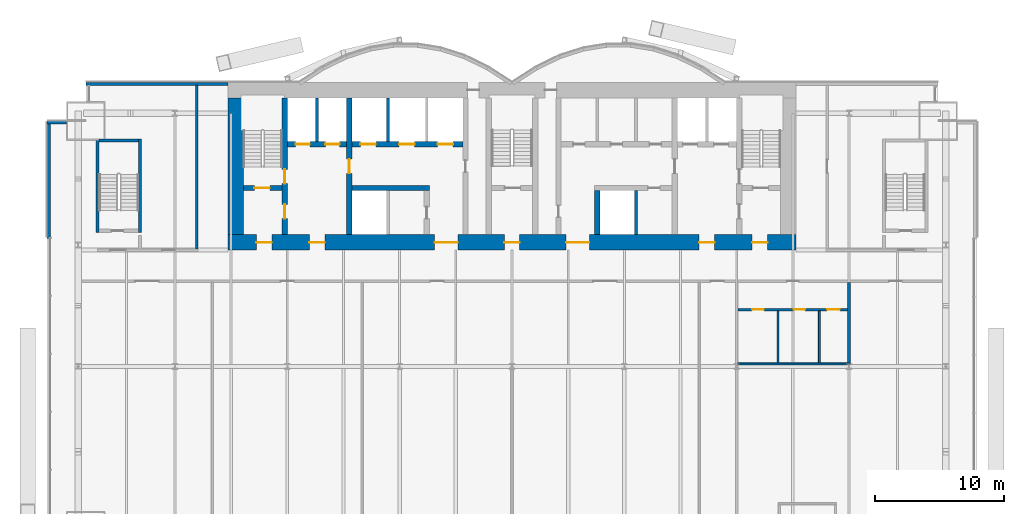
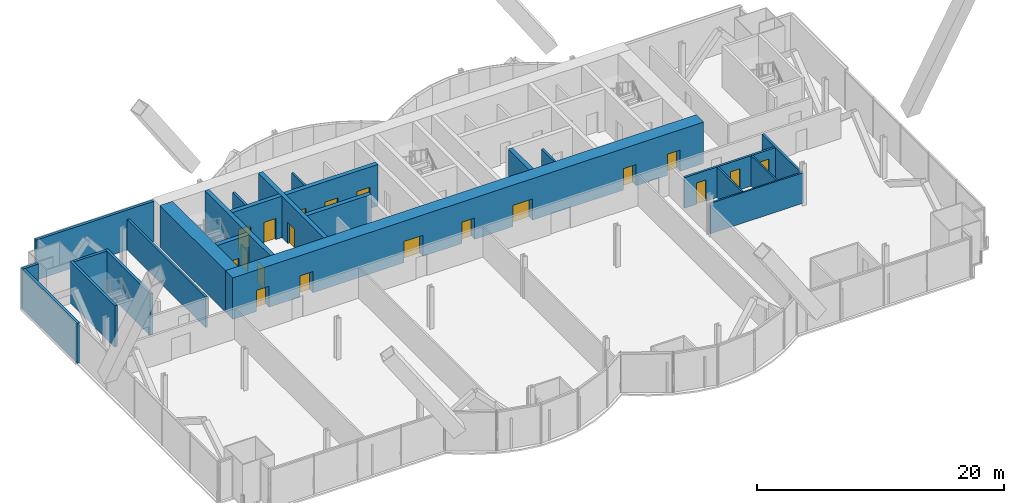
# One storey, part 18 of 23: 23 walls, 19 doors, 19 openings.
"""IFC4 building model written with IfcOpenShell, lengths in metres."""

from ifc_helpers import new_model, si_unit, direction, frame, frame_2d, origin, place, context, subcontext, project, spatial, rectangle, extrude, material, layer, layer_set, layer_usage, type_object, element, fill, save


model = new_model("IFC4")

# Units and contexts
model_context = context("Model", 3, precision=1e-05, world=origin(), true_north=direction((0.0, 1.0)))
body_context = subcontext(model_context, "Body", "Model", "MODEL_VIEW")
ifc_project = project(units=[si_unit("LENGTHUNIT", "METRE"), si_unit("AREAUNIT", "SQUARE_METRE"), si_unit("VOLUMEUNIT", "CUBIC_METRE"), si_unit("PLANEANGLEUNIT", "RADIAN"), si_unit("MASSUNIT", "GRAM", prefix="KILO")], contexts=[model_context])

# Site, building, storey
site_placement = place(None, origin())
site = spatial("IfcSite", under=ifc_project, at=site_placement, CompositionType="ELEMENT")
building_placement = place(site_placement, origin())
building = spatial("IfcBuilding", under=site, at=building_placement, Name="Bicima Exchange Tower", CompositionType="ELEMENT")
storey_placement = place(building_placement, frame((0.0, 0.0, 110.39990234375)))
storey = spatial("IfcBuildingStorey", under=building, at=storey_placement, Name="L23", CompositionType="ELEMENT", Elevation=110.39990234375)

# Walls
ifc_material_1 = material(Name="Gypsum board partition")
ifc_layer_1 = layer(ifc_material_1, 0.199951171875)
ifc_layer_set_1 = layer_set([ifc_layer_1], Name="Gypsum board partition")
wall_type_1 = type_object("IfcWallType", Name="Fire-rated gypsum partition 200 EI120", PredefinedType="PARTITIONING", material=ifc_layer_set_1)
for number, where, z_axis, x_axis, name in (
    (1, (-15.10009765625, -4.60009765625, 0.0), (0.0, 0.0, 1.0), (0.0, 1.0, 0.0), "partition wall 9"),
    (2, (-9.60009765625, -4.60009765625, 0.0), (0.0, 0.0, 1.0), (0.0, 1.0, 0.0), "partition wall 12"),
    (3, (9.60009765625, -11.800048828125, 0.0), (0.0, 0.0, 1.0), (0.0, 1.0, 0.0), "partition wall 21"),
):
    element("IfcWall", number, at=place(storey_placement, frame(where, z_axis=z_axis, x_axis=x_axis)), inside=storey, type_object=wall_type_1, Name=name, PredefinedType="PARTITIONING", context=body_context, shape_type="SweptSolid", body=[
        extrude(rectangle(XDim=3.400146484375, YDim=0.199951171875, at=frame_2d((1.7001953125, 0.0))), origin(), (0.0, 0.0, 1.0), 3.018310546875),
    ])

# Wall, openings, doors
ifc_layer_2 = layer(ifc_material_1, 0.199951171875)
ifc_layer_set_2 = layer_set([ifc_layer_2], Name="Gypsum board partition")
wall_type_2 = type_object("IfcWallType", Name="Fire-rated gypsum partition 200 EI60", PredefinedType="PARTITIONING", material=ifc_layer_set_2)
wall_1_placement = place(storey_placement, frame((17.5, -17.60009765625, 0.0), z_axis=(0.0, 0.0, 1.0), x_axis=(1.0, 0.0, 0.0)))
wall_1 = element("IfcWall", 4, at=wall_1_placement, inside=storey, type_object=wall_type_2, Name="partition wall 5", PredefinedType="PARTITIONING", context=body_context, shape_type="SweptSolid", body=[
    extrude(rectangle(XDim=8.5, YDim=0.199951171875, at=frame_2d((4.25, 0.0))), origin(), (0.0, 0.0, 1.0), 3.018310546875),
])
opening_1_placement = place(wall_1_placement, frame((1.10009765625, 0.0, 0.0)))
opening_1 = element("IfcOpeningElement", 5, at=opening_1_placement, cuts=wall_1, Name="Opening L23-013", PredefinedType="OPENING", context=body_context, shape_type="SweptSolid", body=[
    extrude(rectangle(XDim=0.89990234375, YDim=2.10009765625, at=frame_2d((0.449951171875, 1.050048828125))), frame((0.0, 0.11181640625, 0.0), z_axis=(0.0, -1.0, 0.0), x_axis=(1.0, 0.0, 0.0)), (0.0, 0.0, 1.0), 0.223876953125),
])
opening_2_placement = place(wall_1_placement, frame((4.300048828125, 0.0, 0.0)))
opening_2 = element("IfcOpeningElement", 6, at=opening_2_placement, cuts=wall_1, Name="Opening L23-014", PredefinedType="OPENING", context=body_context, shape_type="SweptSolid", body=[
    extrude(rectangle(XDim=0.89990234375, YDim=2.10009765625, at=frame_2d((0.449951171875, 1.050048828125))), frame((0.0, 0.11181640625, 0.0), z_axis=(0.0, -1.0, 0.0), x_axis=(1.0, 0.0, 0.0)), (0.0, 0.0, 1.0), 0.223876953125),
])
opening_3_placement = place(wall_1_placement, frame((6.89990234375, 0.0, 0.0)))
opening_3 = element("IfcOpeningElement", 7, at=opening_3_placement, cuts=wall_1, Name="Opening L23-015", PredefinedType="OPENING", context=body_context, shape_type="SweptSolid", body=[
    extrude(rectangle(XDim=1.0, YDim=2.10009765625, at=frame_2d((0.5, 1.050048828125))), frame((0.0, 0.11181640625, 0.0), z_axis=(0.0, -1.0, 0.0), x_axis=(1.0, 0.0, 0.0)), (0.0, 0.0, 1.0), 0.223876953125),
])
ifc_material_2 = material(Name="Steel fire door leaf", Category="steel")
door_type_1 = type_object("IfcDoorType", Name="Door 1000 swing FD30S", OperationType="SINGLE_SWING_LEFT", PredefinedType="DOOR", material=ifc_material_2)
door_1_placement = place(opening_3_placement, frame((1.0, 0.0, 0.0), z_axis=(0.0, 0.0, 1.0), x_axis=(-1.0, 0.0, 0.0)))
door_1 = element("IfcDoor", 8, at=door_1_placement, inside=storey, type_object=door_type_1, Name="Door", OperationType="SINGLE_SWING_RIGHT", OverallHeight=2.10009765625, OverallWidth=1.0, PredefinedType="DOOR", context=body_context, shape_type="SweptSolid", body=[
    extrude(rectangle(XDim=1.0, YDim=2.10009765625, at=frame_2d((0.5, 1.050048828125))), frame((0.0, 0.02490234375, 0.0), z_axis=(0.0, -1.0, 0.0), x_axis=(1.0, 0.0, 0.0)), (0.0, 0.0, 1.0), 0.050048828125),
])
fill(opening_3, door_1)
door_type_2 = type_object("IfcDoorType", Name="Door 900 swing FD30S", OperationType="SINGLE_SWING_LEFT", PredefinedType="DOOR", material=ifc_material_2)
door_2_placement = place(opening_1_placement, frame((0.89990234375, 0.0, 0.0), z_axis=(0.0, 0.0, 1.0), x_axis=(-1.0, 0.0, 0.0)))
door_2 = element("IfcDoor", 9, at=door_2_placement, inside=storey, type_object=door_type_2, Name="Door", OperationType="SINGLE_SWING_LEFT", OverallHeight=2.10009765625, OverallWidth=0.89990234375, PredefinedType="DOOR", context=body_context, shape_type="SweptSolid", body=[
    extrude(rectangle(XDim=0.89990234375, YDim=2.10009765625, at=frame_2d((0.449951171875, 1.050048828125))), frame((0.0, 0.02490234375, 0.0), z_axis=(0.0, -1.0, 0.0), x_axis=(1.0, 0.0, 0.0)), (0.0, 0.0, 1.0), 0.050048828125),
])
fill(opening_1, door_2)
door_3_placement = place(opening_2_placement, frame((0.89990234375, 0.0, 0.0), z_axis=(0.0, 0.0, 1.0), x_axis=(-1.0, 0.0, 0.0)))
door_3 = element("IfcDoor", 10, at=door_3_placement, inside=storey, type_object=door_type_2, Name="Door", OperationType="SINGLE_SWING_RIGHT", OverallHeight=2.10009765625, OverallWidth=0.89990234375, PredefinedType="DOOR", context=body_context, shape_type="SweptSolid", body=[
    extrude(rectangle(XDim=0.89990234375, YDim=2.10009765625, at=frame_2d((0.449951171875, 1.050048828125))), frame((0.0, 0.02490234375, 0.0), z_axis=(0.0, -1.0, 0.0), x_axis=(1.0, 0.0, 0.0)), (0.0, 0.0, 1.0), 0.050048828125),
])
fill(opening_2, door_3)

# Walls
wall_2_placement = place(storey_placement, frame((-24.39990234375, -12.89990234375, 0.0), z_axis=(0.0, 0.0, 1.0), x_axis=(0.0, 1.0, 0.0)))
element("IfcWall", 11, at=wall_2_placement, inside=storey, type_object=wall_type_2, Name="partition wall 17", PredefinedType="PARTITIONING", context=body_context, shape_type="SweptSolid", body=[
    extrude(rectangle(XDim=12.68994140625, YDim=0.199951171875, at=frame_2d((6.344970703125, 0.0))), origin(), (0.0, 0.0, 1.0), 3.018310546875),
])
wall_3_placement = place(storey_placement, frame((26.10009765625, -21.72509765625, 0.0), z_axis=(0.0, 0.0, 1.0), x_axis=(0.0, 1.0, 0.0)))
element("IfcWall", 12, at=wall_3_placement, inside=storey, type_object=wall_type_2, Name="partition wall 36", PredefinedType="PARTITIONING", context=body_context, shape_type="SweptSolid", body=[
    extrude(rectangle(XDim=6.22509765625, YDim=0.199951171875, at=frame_2d((3.112548828125, 0.0))), origin(), (0.0, 0.0, 1.0), 3.018310546875),
])
ifc_layer_3 = layer(ifc_material_1, 0.14990234375)
ifc_layer_set_3 = layer_set([ifc_layer_3], Name="Gypsum board partition")
wall_type_3 = type_object("IfcWallType", Name="Gypsum partition 150", PredefinedType="PARTITIONING", material=ifc_layer_set_3)
wall_4_placement = place(storey_placement, frame((17.5, -21.800048828125, 0.0), z_axis=(0.0, 0.0, 1.0), x_axis=(1.0, 0.0, 0.0)))
element("IfcWall", 13, at=wall_4_placement, inside=storey, type_object=wall_type_3, Name="partition wall 4", PredefinedType="PARTITIONING", context=body_context, shape_type="SweptSolid", body=[
    extrude(rectangle(XDim=8.699951171875, YDim=0.14990234375, at=frame_2d((4.35009765625, 0.0))), origin(), (0.0, 0.0, 1.0), 3.018310546875),
])
for number, where, z_axis, x_axis, name in (
    (14, (20.60009765625, -21.72509765625, 0.0), (0.0, 0.0, 1.0), (0.0, 1.0, 0.0), "partition wall 31"),
    (15, (23.800048828125, -21.72509765625, 0.0), (0.0, 0.0, 1.0), (0.0, 1.0, 0.0), "partition wall 33"),
):
    element("IfcWall", number, at=place(storey_placement, frame(where, z_axis=z_axis, x_axis=x_axis)), inside=storey, type_object=wall_type_3, Name=name, PredefinedType="PARTITIONING", context=body_context, shape_type="SweptSolid", body=[
        extrude(rectangle(XDim=4.025146484375, YDim=0.14990234375, at=frame_2d((2.0126953125, 0.0))), origin(), (0.0, 0.0, 1.0), 3.018310546875),
    ])

# Wall, openings, doors
ifc_material_3 = material(Name="Concrete C60/75", Category="concrete")
ifc_layer_4 = layer(ifc_material_3, 1.199951171875)
ifc_layer_set_4 = layer_set([ifc_layer_4], Name="Concrete C60/75")
wall_type_4 = type_object("IfcWallType", Name="RC core wall 1200 C60/75", PredefinedType="SHEAR", material=ifc_layer_set_4)
wall_5_placement = place(storey_placement, frame((-22.0, -12.39990234375, 0.0), z_axis=(0.0, 0.0, 1.0), x_axis=(1.0, 0.0, 0.0)))
wall_5 = element("IfcWall", 16, at=wall_5_placement, inside=storey, type_object=wall_type_4, Name="Core wall south", PredefinedType="SHEAR", context=body_context, shape_type="SweptSolid", body=[
    extrude(rectangle(XDim=44.0, YDim=1.199951171875, at=frame_2d((22.0, 0.0))), origin(), (0.0, 0.0, 1.0), 4.10009765625),
])
opening_4_placement = place(wall_5_placement, frame((2.199951171875, 0.0, 0.0)))
opening_4 = element("IfcOpeningElement", 17, at=opening_4_placement, cuts=wall_5, Name="Opening L23-C19", PredefinedType="OPENING", context=body_context, shape_type="SweptSolid", body=[
    extrude(rectangle(XDim=1.199951171875, YDim=2.10009765625, at=frame_2d((0.60009765625, 1.050048828125))), frame((0.0, 0.61181640625, 0.0), z_axis=(0.0, -1.0, 0.0), x_axis=(1.0, 0.0, 0.0)), (0.0, 0.0, 1.0), 1.223876953125),
])
opening_5_placement = place(wall_5_placement, frame((21.39990234375, 0.0, 0.0)))
opening_5 = element("IfcOpeningElement", 18, at=opening_5_placement, cuts=wall_5, Name="Opening L23-C20", PredefinedType="OPENING", context=body_context, shape_type="SweptSolid", body=[
    extrude(rectangle(XDim=1.199951171875, YDim=2.10009765625, at=frame_2d((0.60009765625, 1.050048828125))), frame((0.0, 0.61181640625, 0.0), z_axis=(0.0, -1.0, 0.0), x_axis=(1.0, 0.0, 0.0)), (0.0, 0.0, 1.0), 1.223876953125),
])
opening_6_placement = place(wall_5_placement, frame((40.60009765625, 0.0, 0.0)))
opening_6 = element("IfcOpeningElement", 19, at=opening_6_placement, cuts=wall_5, Name="Opening L23-C21", PredefinedType="OPENING", context=body_context, shape_type="SweptSolid", body=[
    extrude(rectangle(XDim=1.199951171875, YDim=2.10009765625, at=frame_2d((0.60009765625, 1.050048828125))), frame((0.0, 0.61181640625, 0.0), z_axis=(0.0, -1.0, 0.0), x_axis=(1.0, 0.0, 0.0)), (0.0, 0.0, 1.0), 1.223876953125),
])
opening_7_placement = place(wall_5_placement, frame((16.0, 0.0, 0.0)))
opening_7 = element("IfcOpeningElement", 20, at=opening_7_placement, cuts=wall_5, Name="Opening L23-C22", PredefinedType="OPENING", context=body_context, shape_type="SweptSolid", body=[
    extrude(rectangle(XDim=1.800048828125, YDim=2.10009765625, at=frame_2d((0.89990234375, 1.050048828125))), frame((0.0, 0.61181640625, 0.0), z_axis=(0.0, -1.0, 0.0), x_axis=(1.0, 0.0, 0.0)), (0.0, 0.0, 1.0), 1.223876953125),
])
opening_8_placement = place(wall_5_placement, frame((6.300048828125, 0.0, 0.0)))
opening_8 = element("IfcOpeningElement", 21, at=opening_8_placement, cuts=wall_5, Name="Opening L23-C23", PredefinedType="OPENING", context=body_context, shape_type="SweptSolid", body=[
    extrude(rectangle(XDim=1.199951171875, YDim=2.10009765625, at=frame_2d((0.60009765625, 1.050048828125))), frame((0.0, 0.61181640625, 0.0), z_axis=(0.0, -1.0, 0.0), x_axis=(1.0, 0.0, 0.0)), (0.0, 0.0, 1.0), 1.223876953125),
])
opening_9_placement = place(wall_5_placement, frame((26.199951171875, 0.0, 0.0)))
opening_9 = element("IfcOpeningElement", 22, at=opening_9_placement, cuts=wall_5, Name="Opening L23-C24", PredefinedType="OPENING", context=body_context, shape_type="SweptSolid", body=[
    extrude(rectangle(XDim=1.800048828125, YDim=2.10009765625, at=frame_2d((0.89990234375, 1.050048828125))), frame((0.0, 0.61181640625, 0.0), z_axis=(0.0, -1.0, 0.0), x_axis=(1.0, 0.0, 0.0)), (0.0, 0.0, 1.0), 1.223876953125),
])
opening_10_placement = place(wall_5_placement, frame((36.5, 0.0, 0.0)))
opening_10 = element("IfcOpeningElement", 23, at=opening_10_placement, cuts=wall_5, Name="Opening L23-C25", PredefinedType="OPENING", context=body_context, shape_type="SweptSolid", body=[
    extrude(rectangle(XDim=1.199951171875, YDim=2.10009765625, at=frame_2d((0.60009765625, 1.050048828125))), frame((0.0, 0.61181640625, 0.0), z_axis=(0.0, -1.0, 0.0), x_axis=(1.0, 0.0, 0.0)), (0.0, 0.0, 1.0), 1.223876953125),
])
door_type_3 = type_object("IfcDoorType", Name="Door 1200 swing FD60S", OperationType="SINGLE_SWING_LEFT", PredefinedType="DOOR", material=ifc_material_2)
door_4_placement = place(opening_4_placement, frame((1.199951171875, 0.0, 0.0), z_axis=(0.0, 0.0, 1.0), x_axis=(-1.0, 0.0, 0.0)))
door_4 = element("IfcDoor", 24, at=door_4_placement, inside=storey, type_object=door_type_3, Name="Core door", OperationType="SINGLE_SWING_RIGHT", OverallHeight=2.10009765625, OverallWidth=1.199951171875, PredefinedType="DOOR", context=body_context, shape_type="SweptSolid", body=[
    extrude(rectangle(XDim=1.199951171875, YDim=2.10009765625, at=frame_2d((0.60009765625, 1.050048828125))), frame((0.0, 0.02490234375, 0.0), z_axis=(0.0, -1.0, 0.0), x_axis=(1.0, 0.0, 0.0)), (0.0, 0.0, 1.0), 0.050048828125),
])
fill(opening_4, door_4)
door_5_placement = place(opening_5_placement, frame((1.199951171875, 0.0, 0.0), z_axis=(0.0, 0.0, 1.0), x_axis=(-1.0, 0.0, 0.0)))
door_5 = element("IfcDoor", 25, at=door_5_placement, inside=storey, type_object=door_type_3, Name="Core door", OperationType="SINGLE_SWING_RIGHT", OverallHeight=2.10009765625, OverallWidth=1.199951171875, PredefinedType="DOOR", context=body_context, shape_type="SweptSolid", body=[
    extrude(rectangle(XDim=1.199951171875, YDim=2.10009765625, at=frame_2d((0.60009765625, 1.050048828125))), frame((0.0, 0.02490234375, 0.0), z_axis=(0.0, -1.0, 0.0), x_axis=(1.0, 0.0, 0.0)), (0.0, 0.0, 1.0), 0.050048828125),
])
fill(opening_5, door_5)
door_6_placement = place(opening_6_placement, frame((1.199951171875, 0.0, 0.0), z_axis=(0.0, 0.0, 1.0), x_axis=(-1.0, 0.0, 0.0)))
door_6 = element("IfcDoor", 26, at=door_6_placement, inside=storey, type_object=door_type_3, Name="Core door", OperationType="SINGLE_SWING_RIGHT", OverallHeight=2.10009765625, OverallWidth=1.199951171875, PredefinedType="DOOR", context=body_context, shape_type="SweptSolid", body=[
    extrude(rectangle(XDim=1.199951171875, YDim=2.10009765625, at=frame_2d((0.60009765625, 1.050048828125))), frame((0.0, 0.02490234375, 0.0), z_axis=(0.0, -1.0, 0.0), x_axis=(1.0, 0.0, 0.0)), (0.0, 0.0, 1.0), 0.050048828125),
])
fill(opening_6, door_6)
door_7_placement = place(opening_8_placement, frame((1.199951171875, 0.0, 0.0), z_axis=(0.0, 0.0, 1.0), x_axis=(-1.0, 0.0, 0.0)))
door_7 = element("IfcDoor", 27, at=door_7_placement, inside=storey, type_object=door_type_3, Name="Core door", OperationType="SINGLE_SWING_RIGHT", OverallHeight=2.10009765625, OverallWidth=1.199951171875, PredefinedType="DOOR", context=body_context, shape_type="SweptSolid", body=[
    extrude(rectangle(XDim=1.199951171875, YDim=2.10009765625, at=frame_2d((0.60009765625, 1.050048828125))), frame((0.0, 0.02490234375, 0.0), z_axis=(0.0, -1.0, 0.0), x_axis=(1.0, 0.0, 0.0)), (0.0, 0.0, 1.0), 0.050048828125),
])
fill(opening_8, door_7)
door_8_placement = place(opening_10_placement, frame((1.199951171875, 0.0, 0.0), z_axis=(0.0, 0.0, 1.0), x_axis=(-1.0, 0.0, 0.0)))
door_8 = element("IfcDoor", 28, at=door_8_placement, inside=storey, type_object=door_type_3, Name="Core door", OperationType="SINGLE_SWING_RIGHT", OverallHeight=2.10009765625, OverallWidth=1.199951171875, PredefinedType="DOOR", context=body_context, shape_type="SweptSolid", body=[
    extrude(rectangle(XDim=1.199951171875, YDim=2.10009765625, at=frame_2d((0.60009765625, 1.050048828125))), frame((0.0, 0.02490234375, 0.0), z_axis=(0.0, -1.0, 0.0), x_axis=(1.0, 0.0, 0.0)), (0.0, 0.0, 1.0), 0.050048828125),
])
fill(opening_10, door_8)
door_type_4 = type_object("IfcDoorType", Name="Door 1800 double swing FD30S", OperationType="DOUBLE_DOOR_SINGLE_SWING", PredefinedType="DOOR", material=ifc_material_2)
door_9_placement = place(opening_7_placement, origin())
door_9 = element("IfcDoor", 29, at=door_9_placement, inside=storey, type_object=door_type_4, Name="Core door", OperationType="SINGLE_SWING_LEFT", OverallHeight=2.10009765625, OverallWidth=1.800048828125, PredefinedType="DOOR", context=body_context, shape_type="SweptSolid", body=[
    extrude(rectangle(XDim=1.800048828125, YDim=2.10009765625, at=frame_2d((0.89990234375, 1.050048828125))), frame((0.0, 0.02490234375, 0.0), z_axis=(0.0, -1.0, 0.0), x_axis=(1.0, 0.0, 0.0)), (0.0, 0.0, 1.0), 0.050048828125),
])
fill(opening_7, door_9)
door_10_placement = place(opening_9_placement, origin())
door_10 = element("IfcDoor", 30, at=door_10_placement, inside=storey, type_object=door_type_4, Name="Core door", OperationType="SINGLE_SWING_LEFT", OverallHeight=2.10009765625, OverallWidth=1.800048828125, PredefinedType="DOOR", context=body_context, shape_type="SweptSolid", body=[
    extrude(rectangle(XDim=1.800048828125, YDim=2.10009765625, at=frame_2d((0.89990234375, 1.050048828125))), frame((0.0, 0.02490234375, 0.0), z_axis=(0.0, -1.0, 0.0), x_axis=(1.0, 0.0, 0.0)), (0.0, 0.0, 1.0), 0.050048828125),
])
fill(opening_9, door_10)

# Wall
wall_6_placement = place(storey_placement, frame((-21.39990234375, -11.800048828125, 0.0), z_axis=(0.0, 0.0, 1.0), x_axis=(0.0, 1.0, 0.0)))
element("IfcWall", 31, at=wall_6_placement, inside=storey, type_object=wall_type_4, Name="Core wall west", PredefinedType="SHEAR", context=body_context, shape_type="SweptSolid", body=[
    extrude(rectangle(XDim=10.60009765625, YDim=1.199951171875, at=frame_2d((5.300048828125, 0.0))), origin(), (0.0, 0.0, 1.0), 4.10009765625),
])

# Wall, opening, door
ifc_material_4 = material(Name="Concrete C50/60", Category="concrete")
ifc_layer_5 = layer(ifc_material_4, 0.39990234375)
ifc_layer_set_5 = layer_set([ifc_layer_5], Name="Concrete C50/60")
wall_type_5 = type_object("IfcWallType", Name="RC core wall 400 C50/60", PredefinedType="SHEAR", material=ifc_layer_set_5)
wall_7_placement = place(storey_placement, frame((-20.800048828125, -8.199951171875, 0.0), z_axis=(0.0, 0.0, 1.0), x_axis=(1.0, 0.0, 0.0)))
wall_7 = element("IfcWall", 32, at=wall_7_placement, inside=storey, type_object=wall_type_5, Name="stair wall 1", PredefinedType="SHEAR", context=body_context, shape_type="SweptSolid", body=[
    extrude(rectangle(XDim=3.0, YDim=0.39990234375, at=frame_2d((1.5, 0.0))), origin(), (0.0, 0.0, 1.0), 4.10009765625),
])
opening_11_placement = place(wall_7_placement, frame((0.85009765625, 0.0, 0.0)))
opening_11 = element("IfcOpeningElement", 33, at=opening_11_placement, cuts=wall_7, Name="Opening L23-C01", PredefinedType="OPENING", context=body_context, shape_type="SweptSolid", body=[
    extrude(rectangle(XDim=1.199951171875, YDim=2.10009765625, at=frame_2d((0.60009765625, 1.050048828125))), frame((0.0, 0.2119140625, 0.0), z_axis=(0.0, -1.0, 0.0), x_axis=(1.0, 0.0, 0.0)), (0.0, 0.0, 1.0), 0.423828125),
])
door_11_placement = place(opening_11_placement, origin())
door_11 = element("IfcDoor", 34, at=door_11_placement, inside=storey, type_object=door_type_3, Name="Core door", OperationType="SINGLE_SWING_LEFT", OverallHeight=2.10009765625, OverallWidth=1.199951171875, PredefinedType="DOOR", context=body_context, shape_type="SweptSolid", body=[
    extrude(rectangle(XDim=1.199951171875, YDim=2.10009765625, at=frame_2d((0.60009765625, 1.050048828125))), frame((0.0, 0.02490234375, 0.0), z_axis=(0.0, -1.0, 0.0), x_axis=(1.0, 0.0, 0.0)), (0.0, 0.0, 1.0), 0.050048828125),
])
fill(opening_11, door_11)

# Wall, openings, doors
wall_8_placement = place(storey_placement, frame((-17.60009765625, -11.800048828125, 0.0), z_axis=(0.0, 0.0, 1.0), x_axis=(0.0, 1.0, 0.0)))
wall_8 = element("IfcWall", 35, at=wall_8_placement, inside=storey, type_object=wall_type_5, Name="stair wall 8", PredefinedType="SHEAR", context=body_context, shape_type="SweptSolid", body=[
    extrude(rectangle(XDim=10.60009765625, YDim=0.39990234375, at=frame_2d((5.300048828125, 0.0))), origin(), (0.0, 0.0, 1.0), 4.10009765625),
])
opening_12_placement = place(wall_8_placement, frame((1.25, 0.0, 0.0)))
opening_12 = element("IfcOpeningElement", 36, at=opening_12_placement, cuts=wall_8, Name="Opening L23-C02", PredefinedType="OPENING", context=body_context, shape_type="SweptSolid", body=[
    extrude(rectangle(XDim=1.10009765625, YDim=2.10009765625, at=frame_2d((0.550048828125, 1.050048828125))), frame((0.0, 0.2119140625, 0.0), z_axis=(0.0, -1.0, 0.0), x_axis=(1.0, 0.0, 0.0)), (0.0, 0.0, 1.0), 0.423828125),
])
opening_13_placement = place(wall_8_placement, frame((3.949951171875, 0.0, 0.0)))
opening_13 = element("IfcOpeningElement", 37, at=opening_13_placement, cuts=wall_8, Name="Opening L23-C06", PredefinedType="OPENING", context=body_context, shape_type="SweptSolid", body=[
    extrude(rectangle(XDim=1.10009765625, YDim=2.10009765625, at=frame_2d((0.550048828125, 1.050048828125))), frame((0.0, 0.2119140625, 0.0), z_axis=(0.0, -1.0, 0.0), x_axis=(1.0, 0.0, 0.0)), (0.0, 0.0, 1.0), 0.423828125),
])
door_type_5 = type_object("IfcDoorType", Name="Door 1100 swing FD60S", OperationType="SINGLE_SWING_LEFT", PredefinedType="DOOR", material=ifc_material_2)
door_12_placement = place(opening_12_placement, frame((1.10009765625, 0.0, 0.0), z_axis=(0.0, 0.0, 1.0), x_axis=(-1.0, 0.0, 0.0)))
door_12 = element("IfcDoor", 38, at=door_12_placement, inside=storey, type_object=door_type_5, Name="Core door", OperationType="SINGLE_SWING_LEFT", OverallHeight=2.10009765625, OverallWidth=1.10009765625, PredefinedType="DOOR", context=body_context, shape_type="SweptSolid", body=[
    extrude(rectangle(XDim=1.10009765625, YDim=2.10009765625, at=frame_2d((0.550048828125, 1.050048828125))), frame((0.0, 0.02490234375, 0.0), z_axis=(0.0, -1.0, 0.0), x_axis=(1.0, 0.0, 0.0)), (0.0, 0.0, 1.0), 0.050048828125),
])
fill(opening_12, door_12)
door_13_placement = place(opening_13_placement, frame((1.10009765625, 0.0, 0.0), z_axis=(0.0, 0.0, 1.0), x_axis=(-1.0, 0.0, 0.0)))
door_13 = element("IfcDoor", 39, at=door_13_placement, inside=storey, type_object=door_type_5, Name="Core door", OperationType="SINGLE_SWING_LEFT", OverallHeight=2.10009765625, OverallWidth=1.10009765625, PredefinedType="DOOR", context=body_context, shape_type="SweptSolid", body=[
    extrude(rectangle(XDim=1.10009765625, YDim=2.10009765625, at=frame_2d((0.550048828125, 1.050048828125))), frame((0.0, 0.02490234375, 0.0), z_axis=(0.0, -1.0, 0.0), x_axis=(1.0, 0.0, 0.0)), (0.0, 0.0, 1.0), 0.050048828125),
])
fill(opening_13, door_13)

# Wall
ifc_layer_6 = layer(ifc_material_3, 0.39990234375)
ifc_layer_set_6 = layer_set([ifc_layer_6], Name="Concrete C60/75")
wall_type_6 = type_object("IfcWallType", Name="RC core wall 400 C60/75", PredefinedType="SHEAR", material=ifc_layer_set_6)
wall_9_placement = place(storey_placement, frame((-12.39990234375, -8.199951171875, 0.0), z_axis=(0.0, 0.0, 1.0), x_axis=(1.0, 0.0, 0.0)))
element("IfcWall", 40, at=wall_9_placement, inside=storey, type_object=wall_type_6, Name="shear wall 2", PredefinedType="SHEAR", context=body_context, shape_type="SweptSolid", body=[
    extrude(rectangle(XDim=6.0, YDim=0.39990234375, at=frame_2d((3.0, 0.0))), origin(), (0.0, 0.0, 1.0), 4.10009765625),
])

# Wall, openings, doors
wall_10_placement = place(storey_placement, frame((-17.39990234375, -4.800048828125, 0.0), z_axis=(0.0, 0.0, 1.0), x_axis=(1.0, 0.0, 0.0)))
wall_10 = element("IfcWall", 41, at=wall_10_placement, inside=storey, type_object=wall_type_6, Name="shear wall 6", PredefinedType="SHEAR", context=body_context, shape_type="SweptSolid", body=[
    extrude(rectangle(XDim=13.599853515625, YDim=0.39990234375, at=frame_2d((6.7998046875, 0.0))), origin(), (0.0, 0.0, 1.0), 4.10009765625),
])
opening_14_placement = place(wall_10_placement, frame((0.64990234375, 0.0, 0.0)))
opening_14 = element("IfcOpeningElement", 42, at=opening_14_placement, cuts=wall_10, Name="Opening LD-FF1-L23", PredefinedType="OPENING", context=body_context, shape_type="SweptSolid", body=[
    extrude(rectangle(XDim=1.10009765625, YDim=2.10009765625, at=frame_2d((0.550048828125, 1.050048828125))), frame((0.0, 0.2119140625, 0.0), z_axis=(0.0, -1.0, 0.0), x_axis=(1.0, 0.0, 0.0)), (0.0, 0.0, 1.0), 0.423828125),
])
opening_15_placement = place(wall_10_placement, frame((2.949951171875, 0.0, 0.0)))
opening_15 = element("IfcOpeningElement", 43, at=opening_15_placement, cuts=wall_10, Name="Opening LD-FF3-L23", PredefinedType="OPENING", context=body_context, shape_type="SweptSolid", body=[
    extrude(rectangle(XDim=1.10009765625, YDim=2.10009765625, at=frame_2d((0.550048828125, 1.050048828125))), frame((0.0, 0.2119140625, 0.0), z_axis=(0.0, -1.0, 0.0), x_axis=(1.0, 0.0, 0.0)), (0.0, 0.0, 1.0), 0.423828125),
])
opening_16_placement = place(wall_10_placement, frame((5.64990234375, 0.0, 0.0)))
opening_16 = element("IfcOpeningElement", 44, at=opening_16_placement, cuts=wall_10, Name="Opening LD-LB1-L23", PredefinedType="OPENING", context=body_context, shape_type="SweptSolid", body=[
    extrude(rectangle(XDim=1.199951171875, YDim=2.10009765625, at=frame_2d((0.60009765625, 1.050048828125))), frame((0.0, 0.2119140625, 0.0), z_axis=(0.0, -1.0, 0.0), x_axis=(1.0, 0.0, 0.0)), (0.0, 0.0, 1.0), 0.423828125),
])
opening_17_placement = place(wall_10_placement, frame((8.64990234375, 0.0, 0.0)))
opening_17 = element("IfcOpeningElement", 45, at=opening_17_placement, cuts=wall_10, Name="Opening LD-LB2-L23", PredefinedType="OPENING", context=body_context, shape_type="SweptSolid", body=[
    extrude(rectangle(XDim=1.199951171875, YDim=2.10009765625, at=frame_2d((0.60009765625, 1.050048828125))), frame((0.0, 0.2119140625, 0.0), z_axis=(0.0, -1.0, 0.0), x_axis=(1.0, 0.0, 0.0)), (0.0, 0.0, 1.0), 0.423828125),
])
opening_18_placement = place(wall_10_placement, frame((11.64990234375, 0.0, 0.0)))
opening_18 = element("IfcOpeningElement", 46, at=opening_18_placement, cuts=wall_10, Name="Opening LD-LB3-L23", PredefinedType="OPENING", context=body_context, shape_type="SweptSolid", body=[
    extrude(rectangle(XDim=1.199951171875, YDim=2.10009765625, at=frame_2d((0.60009765625, 1.050048828125))), frame((0.0, 0.2119140625, 0.0), z_axis=(0.0, -1.0, 0.0), x_axis=(1.0, 0.0, 0.0)), (0.0, 0.0, 1.0), 0.423828125),
])
ifc_material_5 = material(Name="Stainless steel", Category="steel")
door_type_6 = type_object("IfcDoorType", Name="Lift landing door 1100 sliding", OperationType="DOUBLE_DOOR_SLIDING", PredefinedType="DOOR", material=ifc_material_5)
door_14_placement = place(opening_14_placement, origin())
door_14 = element("IfcDoor", 47, at=door_14_placement, inside=storey, type_object=door_type_6, Name="Lift landing door FF1", OperationType="DOUBLE_DOOR_SLIDING", OverallHeight=2.10009765625, OverallWidth=1.10009765625, PredefinedType="DOOR", context=body_context, shape_type="SweptSolid", body=[
    extrude(rectangle(XDim=1.10009765625, YDim=2.10009765625, at=frame_2d((0.550048828125, 1.050048828125))), frame((0.0, 0.02490234375, 0.0), z_axis=(0.0, -1.0, 0.0), x_axis=(1.0, 0.0, 0.0)), (0.0, 0.0, 1.0), 0.050048828125),
])
fill(opening_14, door_14)
door_15_placement = place(opening_15_placement, origin())
door_15 = element("IfcDoor", 48, at=door_15_placement, inside=storey, type_object=door_type_6, Name="Lift landing door FF3", OperationType="DOUBLE_DOOR_SLIDING", OverallHeight=2.10009765625, OverallWidth=1.10009765625, PredefinedType="DOOR", context=body_context, shape_type="SweptSolid", body=[
    extrude(rectangle(XDim=1.10009765625, YDim=2.10009765625, at=frame_2d((0.550048828125, 1.050048828125))), frame((0.0, 0.02490234375, 0.0), z_axis=(0.0, -1.0, 0.0), x_axis=(1.0, 0.0, 0.0)), (0.0, 0.0, 1.0), 0.050048828125),
])
fill(opening_15, door_15)
door_type_7 = type_object("IfcDoorType", Name="Lift landing door 1200 sliding", OperationType="DOUBLE_DOOR_SLIDING", PredefinedType="DOOR", material=ifc_material_5)
door_16_placement = place(opening_16_placement, origin())
door_16 = element("IfcDoor", 49, at=door_16_placement, inside=storey, type_object=door_type_7, Name="Lift landing door LB1", OperationType="DOUBLE_DOOR_SLIDING", OverallHeight=2.10009765625, OverallWidth=1.199951171875, PredefinedType="DOOR", context=body_context, shape_type="SweptSolid", body=[
    extrude(rectangle(XDim=1.199951171875, YDim=2.10009765625, at=frame_2d((0.60009765625, 1.050048828125))), frame((0.0, 0.02490234375, 0.0), z_axis=(0.0, -1.0, 0.0), x_axis=(1.0, 0.0, 0.0)), (0.0, 0.0, 1.0), 0.050048828125),
])
fill(opening_16, door_16)
door_17_placement = place(opening_17_placement, origin())
door_17 = element("IfcDoor", 50, at=door_17_placement, inside=storey, type_object=door_type_7, Name="Lift landing door LB2", OperationType="DOUBLE_DOOR_SLIDING", OverallHeight=2.10009765625, OverallWidth=1.199951171875, PredefinedType="DOOR", context=body_context, shape_type="SweptSolid", body=[
    extrude(rectangle(XDim=1.199951171875, YDim=2.10009765625, at=frame_2d((0.60009765625, 1.050048828125))), frame((0.0, 0.02490234375, 0.0), z_axis=(0.0, -1.0, 0.0), x_axis=(1.0, 0.0, 0.0)), (0.0, 0.0, 1.0), 0.050048828125),
])
fill(opening_17, door_17)
door_18_placement = place(opening_18_placement, origin())
door_18 = element("IfcDoor", 51, at=door_18_placement, inside=storey, type_object=door_type_7, Name="Lift landing door LB3", OperationType="DOUBLE_DOOR_SLIDING", OverallHeight=2.10009765625, OverallWidth=1.199951171875, PredefinedType="DOOR", context=body_context, shape_type="SweptSolid", body=[
    extrude(rectangle(XDim=1.199951171875, YDim=2.10009765625, at=frame_2d((0.60009765625, 1.050048828125))), frame((0.0, 0.02490234375, 0.0), z_axis=(0.0, -1.0, 0.0), x_axis=(1.0, 0.0, 0.0)), (0.0, 0.0, 1.0), 0.050048828125),
])
fill(opening_18, door_18)

# Wall, opening, door
wall_11_placement = place(storey_placement, frame((-12.60009765625, -11.800048828125, 0.0), z_axis=(0.0, 0.0, 1.0), x_axis=(0.0, 1.0, 0.0)))
wall_11 = element("IfcWall", 52, at=wall_11_placement, inside=storey, type_object=wall_type_6, Name="shear wall 10", PredefinedType="SHEAR", context=body_context, shape_type="SweptSolid", body=[
    extrude(rectangle(XDim=10.60009765625, YDim=0.39990234375, at=frame_2d((5.300048828125, 0.0))), origin(), (0.0, 0.0, 1.0), 4.10009765625),
])
opening_19_placement = place(wall_11_placement, frame((4.75, 0.0, 0.0)))
opening_19 = element("IfcOpeningElement", 53, at=opening_19_placement, cuts=wall_11, Name="Opening L23-C07", PredefinedType="OPENING", context=body_context, shape_type="SweptSolid", body=[
    extrude(rectangle(XDim=1.10009765625, YDim=2.10009765625, at=frame_2d((0.550048828125, 1.050048828125))), frame((0.0, 0.2119140625, 0.0), z_axis=(0.0, -1.0, 0.0), x_axis=(1.0, 0.0, 0.0)), (0.0, 0.0, 1.0), 0.423828125),
])
door_19_placement = place(opening_19_placement, origin())
door_19 = element("IfcDoor", 54, at=door_19_placement, inside=storey, type_object=door_type_5, Name="Core door", OperationType="SINGLE_SWING_LEFT", OverallHeight=2.10009765625, OverallWidth=1.10009765625, PredefinedType="DOOR", context=body_context, shape_type="SweptSolid", body=[
    extrude(rectangle(XDim=1.10009765625, YDim=2.10009765625, at=frame_2d((0.550048828125, 1.050048828125))), frame((0.0, 0.02490234375, 0.0), z_axis=(0.0, -1.0, 0.0), x_axis=(1.0, 0.0, 0.0)), (0.0, 0.0, 1.0), 0.050048828125),
])
fill(opening_19, door_19)

# Walls
wall_12_placement = place(storey_placement, frame((6.60009765625, -11.800048828125, 0.0), z_axis=(0.0, 0.0, 1.0), x_axis=(0.0, 1.0, 0.0)))
element("IfcWall", 55, at=wall_12_placement, inside=storey, type_object=wall_type_6, Name="shear wall 19", PredefinedType="SHEAR", context=body_context, shape_type="SweptSolid", body=[
    extrude(rectangle(XDim=3.400146484375, YDim=0.39990234375, at=frame_2d((1.7001953125, 0.0))), origin(), (0.0, 0.0, 1.0), 4.10009765625),
])
ifc_layer_7 = layer(ifc_material_4, 0.25)
ifc_layer_set_7 = layer_set([ifc_layer_7], Name="Concrete C50/60")
wall_type_7 = type_object("IfcWallType", Name="RC stair enclosure wall 250 C50/60", PredefinedType="SHEAR", material=ifc_layer_set_7)
for number, where, z_axis, x_axis, name in (
    (56, (-32.10009765625, -11.625, 0.0), (0.0, 0.0, 1.0), (0.0, 1.0, 0.0), "West end exit stair wall W"),
    (57, (-28.800048828125, -11.625, 0.0), (0.0, 0.0, 1.0), (0.0, 1.0, 0.0), "West end exit stair wall E"),
):
    element("IfcWall", number, at=place(storey_placement, frame(where, z_axis=z_axis, x_axis=x_axis)), inside=storey, type_object=wall_type_7, Name=name, PredefinedType="SHEAR", context=body_context, shape_type="SweptSolid", body=[
        extrude(rectangle(XDim=7.25, YDim=0.25, at=frame_2d((3.625, 0.0))), origin(), (0.0, 0.0, 1.0), 4.10009765625),
    ])
wall_13_placement = place(storey_placement, frame((-31.97509765625, -4.5, 0.0), z_axis=(0.0, 0.0, 1.0), x_axis=(1.0, 0.0, 0.0)))
element("IfcWall", 58, at=wall_13_placement, inside=storey, type_object=wall_type_7, Name="West end exit stair wall N", PredefinedType="SHEAR", context=body_context, shape_type="SweptSolid", body=[
    extrude(rectangle(XDim=3.050048828125, YDim=0.25, at=frame_2d((1.52490234375, 0.0))), origin(), (0.0, 0.0, 1.0), 4.10009765625),
])
ifc_material_6 = material(Name="Concrete C40/50", Category="concrete")
ifc_layer_8 = layer(ifc_material_6, 0.25)
ifc_layer_set_8 = layer_set([ifc_layer_8], Name="Concrete C40/50")
ifc_layer_usage = layer_usage(ifc_layer_set_8, "AXIS2", "POSITIVE", -0.125)
wall_type_8 = type_object("IfcWallType", Name="Rear backup wall 250", PredefinedType="STANDARD", material=ifc_layer_set_8)
wall_14_placement = place(storey_placement, frame((-22.0, -0.125, 0.0), z_axis=(0.0, 0.0, 1.0), x_axis=(-1.0, 0.0, 0.0)))
element("IfcWall", 59, at=wall_14_placement, inside=storey, type_object=wall_type_8, material=ifc_layer_usage, Name="Rear backup wall L23 20", PredefinedType="STANDARD", context=body_context, shape_type="SweptSolid", body=[
    extrude(rectangle(XDim=11.0, YDim=0.25, at=frame_2d((5.5, 0.0))), origin(), (0.0, 0.0, 1.0), 3.9501953125),
])
wall_15_placement = place(storey_placement, frame((-34.5, -3.125, 0.0), z_axis=(0.0, 0.0, 1.0), x_axis=(-1.0, 0.0, 0.0)))
element("IfcWall", 60, at=wall_15_placement, inside=storey, type_object=wall_type_8, material=ifc_layer_usage, Name="Rear backup wall L23 22", PredefinedType="STANDARD", context=body_context, shape_type="SweptSolid", body=[
    extrude(rectangle(XDim=1.5, YDim=0.25, at=frame_2d((0.75, 0.0))), origin(), (0.0, 0.0, 1.0), 3.9501953125),
])
wall_16_placement = place(storey_placement, frame((-35.875, -3.0, 0.0), z_axis=(0.0, 0.0, 1.0), x_axis=(0.0, -1.0, 0.0)))
element("IfcWall", 61, at=wall_16_placement, inside=storey, type_object=wall_type_8, material=ifc_layer_usage, Name="Rear backup wall L23 23", PredefinedType="STANDARD", context=body_context, shape_type="SweptSolid", body=[
    extrude(rectangle(XDim=9.090087890625, YDim=0.25, at=frame_2d((4.544921875, 0.0))), origin(), (0.0, 0.0, 1.0), 3.9501953125),
])

save(model, "model.ifc")
